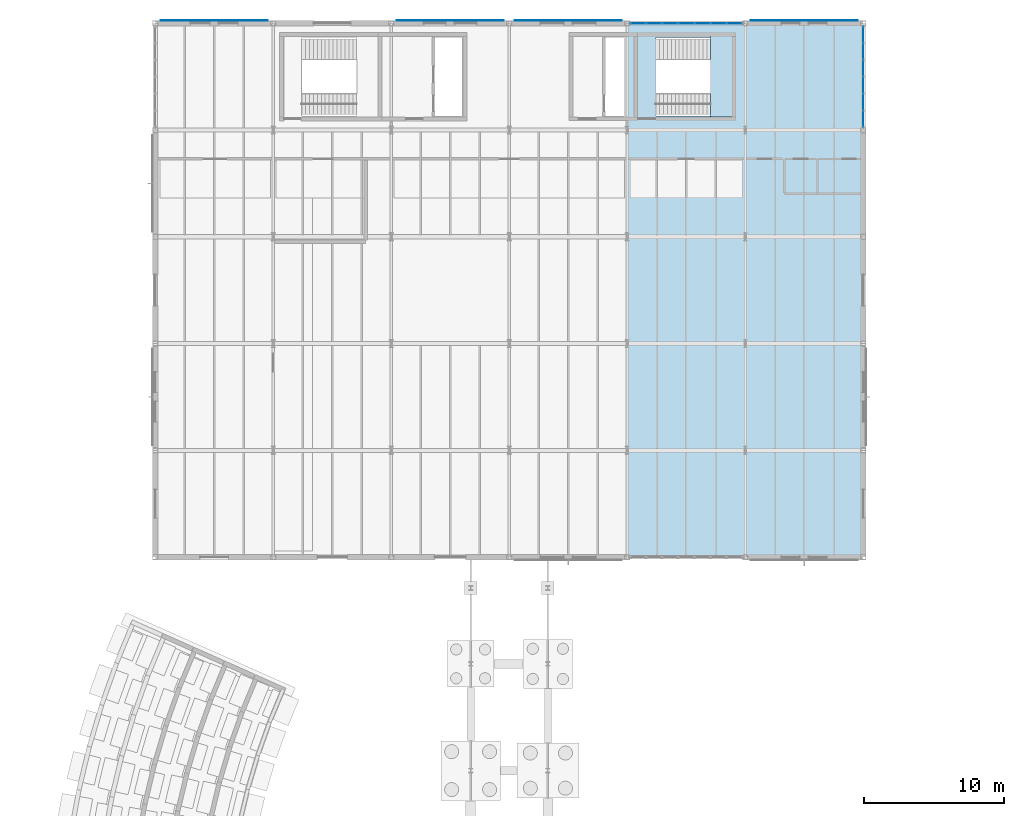
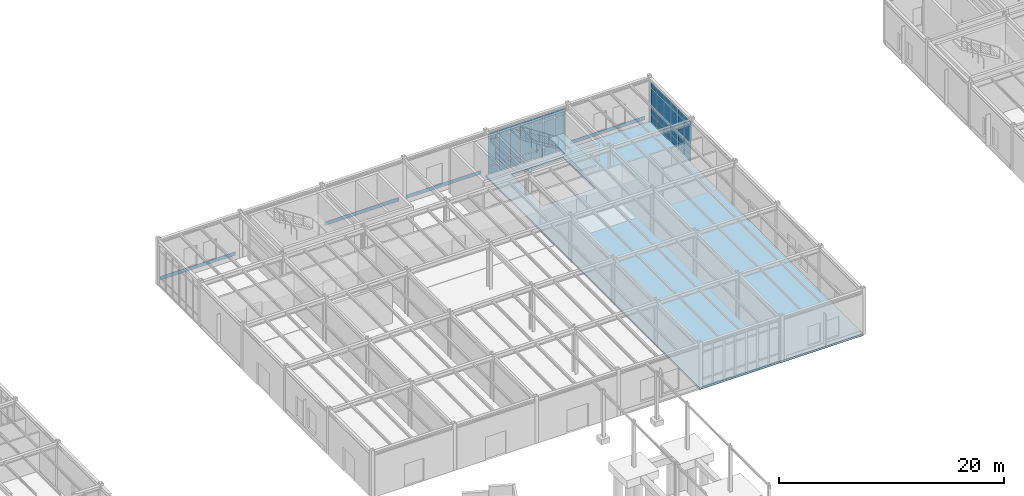
# One storey, part 78 of 109: 43 plates, 2 slabs, 3 elements without a shape of their own.
"""IFC4 building model written with IfcOpenShell, lengths in metres."""

from ifc_helpers import new_model, si_unit, direction, frame, origin, origin_2d, place, context, subcontext, project, spatial, polyline, rectangle, outline, extrude, material, layer, layer_set, type_object, element, aggregate, save


model = new_model("IFC4")

# Units and contexts
model_context = context("Model", 3, precision=1e-05, world=origin(), true_north=direction((0.0, 1.0)))
body_context = subcontext(model_context, "Body", "Model", "MODEL_VIEW")
ifc_project = project(units=[si_unit("LENGTHUNIT", "METRE"), si_unit("AREAUNIT", "SQUARE_METRE"), si_unit("VOLUMEUNIT", "CUBIC_METRE"), si_unit("PLANEANGLEUNIT", "RADIAN"), si_unit("MASSUNIT", "GRAM", prefix="KILO")], contexts=[model_context])

# Site, building, storey
site_placement = place(None, origin())
site = spatial("IfcSite", under=ifc_project, at=site_placement, CompositionType="ELEMENT")
building_placement = place(site_placement, origin())
building = spatial("IfcBuilding", under=site, at=building_placement, Name="Montecoro Central Library", CompositionType="ELEMENT")
storey_placement = place(building_placement, origin())
storey = spatial("IfcBuildingStorey", under=building, at=storey_placement, Name="L00", CompositionType="ELEMENT", Elevation=0.0)

# Curtain wall, plates
ifc_material_1 = material(Name="Bronze-anodised aluminium and low-E glazing", Category="aluminium")
ifc_layer_1 = layer(ifc_material_1, 0.159912109375)
ifc_layer_set_1 = layer_set([ifc_layer_1], Name="Bronze-anodised aluminium and low-E glazing")
curtain_wall_type_1 = type_object("IfcCurtainWallType", Name="CWT-007", PredefinedType="NOTDEFINED", material=ifc_layer_set_1)
curtain_wall_1_placement = place(storey_placement, origin())
curtain_wall_1 = element("IfcCurtainWall", 1, at=curtain_wall_1_placement, inside=storey, type_object=curtain_wall_type_1, Name="V2-L00-CW-E4", PredefinedType="NOTDEFINED")
ifc_material_2 = material(Name="Laminated low-E double glazing", Category="glass")
ifc_layer_2 = layer(ifc_material_2, 0.02587890625)
ifc_layer_set_2 = layer_set([ifc_layer_2], Name="Laminated low-E double glazing")
plate_type_1 = type_object("IfcPlateType", Name="CWP-GLZ-01", PredefinedType="CURTAIN_PANEL", material=ifc_layer_set_2)
plate_1_placement = place(storey_placement, frame((116.800048828125, 112.19921875, 0.070068359375), z_axis=(0.0, 0.0, 1.0), x_axis=(0.0, 1.0, 0.0)))
plate_1 = element("IfcPlate", 2, at=plate_1_placement, type_object=plate_type_1, Name="CW-007 panel 1.1", PredefinedType="CURTAIN_PANEL", context=body_context, shape_type="SweptSolid", body=[
    extrude(rectangle(XDim=1.102294921875, YDim=0.02587890625, at=origin_2d()), origin(), (0.0, 0.0, 1.0), 0.794921875),
])
plate_2_placement = place(storey_placement, frame((116.800048828125, 112.19921875, 0.93505859375), z_axis=(0.0, 0.0, 1.0), x_axis=(0.0, 1.0, 0.0)))
plate_2 = element("IfcPlate", 3, at=plate_2_placement, type_object=plate_type_1, Name="CW-007 panel 1.2", PredefinedType="CURTAIN_PANEL", context=body_context, shape_type="SweptSolid", body=[
    extrude(rectangle(XDim=1.102294921875, YDim=0.02587890625, at=origin_2d()), origin(), (0.0, 0.0, 1.0), 2.830078125),
])
plate_3_placement = place(storey_placement, frame((116.800048828125, 112.19921875, 3.8349609375), z_axis=(0.0, 0.0, 1.0), x_axis=(0.0, 1.0, 0.0)))
plate_3 = element("IfcPlate", 4, at=plate_3_placement, type_object=plate_type_1, Name="CW-007 panel 1.3", PredefinedType="CURTAIN_PANEL", context=body_context, shape_type="SweptSolid", body=[
    extrude(rectangle(XDim=1.102294921875, YDim=0.02587890625, at=origin_2d()), origin(), (0.0, 0.0, 1.0), 0.594970703125),
])
plate_4_placement = place(storey_placement, frame((116.800048828125, 113.388916015625, 0.070068359375), z_axis=(0.0, 0.0, 1.0), x_axis=(0.0, 1.0, 0.0)))
plate_4 = element("IfcPlate", 5, at=plate_4_placement, type_object=plate_type_1, Name="CW-007 panel 2.1", PredefinedType="CURTAIN_PANEL", context=body_context, shape_type="SweptSolid", body=[
    extrude(rectangle(XDim=1.137451171875, YDim=0.02587890625, at=origin_2d()), origin(), (0.0, 0.0, 1.0), 0.794921875),
])
plate_5_placement = place(storey_placement, frame((116.800048828125, 113.388916015625, 0.93505859375), z_axis=(0.0, 0.0, 1.0), x_axis=(0.0, 1.0, 0.0)))
plate_5 = element("IfcPlate", 6, at=plate_5_placement, type_object=plate_type_1, Name="CW-007 panel 2.2", PredefinedType="CURTAIN_PANEL", context=body_context, shape_type="SweptSolid", body=[
    extrude(rectangle(XDim=1.137451171875, YDim=0.02587890625, at=origin_2d()), origin(), (0.0, 0.0, 1.0), 2.830078125),
])
plate_6_placement = place(storey_placement, frame((116.800048828125, 113.388916015625, 3.8349609375), z_axis=(0.0, 0.0, 1.0), x_axis=(0.0, 1.0, 0.0)))
plate_6 = element("IfcPlate", 7, at=plate_6_placement, type_object=plate_type_1, Name="CW-007 panel 2.3", PredefinedType="CURTAIN_PANEL", context=body_context, shape_type="SweptSolid", body=[
    extrude(rectangle(XDim=1.137451171875, YDim=0.02587890625, at=origin_2d()), origin(), (0.0, 0.0, 1.0), 0.594970703125),
])
plate_7_placement = place(storey_placement, frame((116.800048828125, 114.596435546875, 0.070068359375), z_axis=(0.0, 0.0, 1.0), x_axis=(0.0, 1.0, 0.0)))
plate_7 = element("IfcPlate", 8, at=plate_7_placement, type_object=plate_type_1, Name="CW-007 panel 3.1", PredefinedType="CURTAIN_PANEL", context=body_context, shape_type="SweptSolid", body=[
    extrude(rectangle(XDim=1.137451171875, YDim=0.02587890625, at=origin_2d()), origin(), (0.0, 0.0, 1.0), 0.794921875),
])
plate_8_placement = place(storey_placement, frame((116.800048828125, 114.596435546875, 0.93505859375), z_axis=(0.0, 0.0, 1.0), x_axis=(0.0, 1.0, 0.0)))
plate_8 = element("IfcPlate", 9, at=plate_8_placement, type_object=plate_type_1, Name="CW-007 panel 3.2", PredefinedType="CURTAIN_PANEL", context=body_context, shape_type="SweptSolid", body=[
    extrude(rectangle(XDim=1.137451171875, YDim=0.02587890625, at=origin_2d()), origin(), (0.0, 0.0, 1.0), 2.830078125),
])
plate_9_placement = place(storey_placement, frame((116.800048828125, 114.596435546875, 3.8349609375), z_axis=(0.0, 0.0, 1.0), x_axis=(0.0, 1.0, 0.0)))
plate_9 = element("IfcPlate", 10, at=plate_9_placement, type_object=plate_type_1, Name="CW-007 panel 3.3", PredefinedType="CURTAIN_PANEL", context=body_context, shape_type="SweptSolid", body=[
    extrude(rectangle(XDim=1.137451171875, YDim=0.02587890625, at=origin_2d()), origin(), (0.0, 0.0, 1.0), 0.594970703125),
])
plate_10_placement = place(storey_placement, frame((116.800048828125, 115.8037109375, 0.070068359375), z_axis=(0.0, 0.0, 1.0), x_axis=(0.0, 1.0, 0.0)))
plate_10 = element("IfcPlate", 11, at=plate_10_placement, type_object=plate_type_1, Name="CW-007 panel 4.1", PredefinedType="CURTAIN_PANEL", context=body_context, shape_type="SweptSolid", body=[
    extrude(rectangle(XDim=1.137451171875, YDim=0.02587890625, at=origin_2d()), origin(), (0.0, 0.0, 1.0), 0.794921875),
])
plate_11_placement = place(storey_placement, frame((116.800048828125, 115.8037109375, 0.93505859375), z_axis=(0.0, 0.0, 1.0), x_axis=(0.0, 1.0, 0.0)))
plate_11 = element("IfcPlate", 12, at=plate_11_placement, type_object=plate_type_1, Name="CW-007 panel 4.2", PredefinedType="CURTAIN_PANEL", context=body_context, shape_type="SweptSolid", body=[
    extrude(rectangle(XDim=1.137451171875, YDim=0.02587890625, at=origin_2d()), origin(), (0.0, 0.0, 1.0), 2.830078125),
])
plate_12_placement = place(storey_placement, frame((116.800048828125, 115.8037109375, 3.8349609375), z_axis=(0.0, 0.0, 1.0), x_axis=(0.0, 1.0, 0.0)))
plate_12 = element("IfcPlate", 13, at=plate_12_placement, type_object=plate_type_1, Name="CW-007 panel 4.3", PredefinedType="CURTAIN_PANEL", context=body_context, shape_type="SweptSolid", body=[
    extrude(rectangle(XDim=1.137451171875, YDim=0.02587890625, at=origin_2d()), origin(), (0.0, 0.0, 1.0), 0.594970703125),
])
plate_13_placement = place(storey_placement, frame((116.800048828125, 117.010986328125, 0.070068359375), z_axis=(0.0, 0.0, 1.0), x_axis=(0.0, 1.0, 0.0)))
plate_13 = element("IfcPlate", 14, at=plate_13_placement, type_object=plate_type_1, Name="CW-007 panel 5.1", PredefinedType="CURTAIN_PANEL", context=body_context, shape_type="SweptSolid", body=[
    extrude(rectangle(XDim=1.137451171875, YDim=0.02587890625, at=origin_2d()), origin(), (0.0, 0.0, 1.0), 0.794921875),
])
plate_14_placement = place(storey_placement, frame((116.800048828125, 117.010986328125, 0.93505859375), z_axis=(0.0, 0.0, 1.0), x_axis=(0.0, 1.0, 0.0)))
plate_14 = element("IfcPlate", 15, at=plate_14_placement, type_object=plate_type_1, Name="CW-007 panel 5.2", PredefinedType="CURTAIN_PANEL", context=body_context, shape_type="SweptSolid", body=[
    extrude(rectangle(XDim=1.137451171875, YDim=0.02587890625, at=origin_2d()), origin(), (0.0, 0.0, 1.0), 2.830078125),
])
plate_15_placement = place(storey_placement, frame((116.800048828125, 117.010986328125, 3.8349609375), z_axis=(0.0, 0.0, 1.0), x_axis=(0.0, 1.0, 0.0)))
plate_15 = element("IfcPlate", 16, at=plate_15_placement, type_object=plate_type_1, Name="CW-007 panel 5.3", PredefinedType="CURTAIN_PANEL", context=body_context, shape_type="SweptSolid", body=[
    extrude(rectangle(XDim=1.137451171875, YDim=0.02587890625, at=origin_2d()), origin(), (0.0, 0.0, 1.0), 0.594970703125),
])
plate_16_placement = place(storey_placement, frame((116.800048828125, 118.200927734375, 0.070068359375), z_axis=(0.0, 0.0, 1.0), x_axis=(0.0, 1.0, 0.0)))
plate_16 = element("IfcPlate", 17, at=plate_16_placement, type_object=plate_type_1, Name="CW-007 panel 6.1", PredefinedType="CURTAIN_PANEL", context=body_context, shape_type="SweptSolid", body=[
    extrude(rectangle(XDim=1.102294921875, YDim=0.02587890625, at=origin_2d()), origin(), (0.0, 0.0, 1.0), 0.794921875),
])
plate_17_placement = place(storey_placement, frame((116.800048828125, 118.200927734375, 0.93505859375), z_axis=(0.0, 0.0, 1.0), x_axis=(0.0, 1.0, 0.0)))
plate_17 = element("IfcPlate", 18, at=plate_17_placement, type_object=plate_type_1, Name="CW-007 panel 6.2", PredefinedType="CURTAIN_PANEL", context=body_context, shape_type="SweptSolid", body=[
    extrude(rectangle(XDim=1.102294921875, YDim=0.02587890625, at=origin_2d()), origin(), (0.0, 0.0, 1.0), 2.830078125),
])
plate_18_placement = place(storey_placement, frame((116.800048828125, 118.200927734375, 3.8349609375), z_axis=(0.0, 0.0, 1.0), x_axis=(0.0, 1.0, 0.0)))
plate_18 = element("IfcPlate", 19, at=plate_18_placement, type_object=plate_type_1, Name="CW-007 panel 6.3", PredefinedType="CURTAIN_PANEL", context=body_context, shape_type="SweptSolid", body=[
    extrude(rectangle(XDim=1.102294921875, YDim=0.02587890625, at=origin_2d()), origin(), (0.0, 0.0, 1.0), 0.594970703125),
])
aggregate(curtain_wall_1, [plate_1, plate_2, plate_3, plate_4, plate_5, plate_6, plate_7, plate_8, plate_9, plate_10, plate_11, plate_12, plate_13, plate_14, plate_15, plate_16, plate_17, plate_18])

ifc_layer_3 = layer(ifc_material_1, 0.159912109375)
ifc_layer_set_3 = layer_set([ifc_layer_3], Name="Bronze-anodised aluminium and low-E glazing")
curtain_wall_type_2 = type_object("IfcCurtainWallType", Name="CWT-008", PredefinedType="NOTDEFINED", material=ifc_layer_set_3)
curtain_wall_2_placement = place(storey_placement, origin())
curtain_wall_2 = element("IfcCurtainWall", 20, at=curtain_wall_2_placement, inside=storey, type_object=curtain_wall_type_2, Name="V2-L00-CW-N4", PredefinedType="NOTDEFINED")
plate_19_placement = place(storey_placement, frame((107.6298828125, 119.0, 0.070068359375), z_axis=(0.0, 0.0, 1.0), x_axis=(-1.0, 0.0, 0.0)))
plate_19 = element("IfcPlate", 21, at=plate_19_placement, type_object=plate_type_1, Name="CW-008 panel 1.1", PredefinedType="CURTAIN_PANEL", context=body_context, shape_type="SweptSolid", body=[
    extrude(rectangle(XDim=1.044189453125, YDim=0.02587890625, at=origin_2d()), origin(), (0.0, 0.0, 1.0), 0.794921875),
])
plate_20_placement = place(storey_placement, frame((107.6298828125, 119.0, 0.93505859375), z_axis=(0.0, 0.0, 1.0), x_axis=(-1.0, 0.0, 0.0)))
plate_20 = element("IfcPlate", 22, at=plate_20_placement, type_object=plate_type_1, Name="CW-008 panel 1.2", PredefinedType="CURTAIN_PANEL", context=body_context, shape_type="SweptSolid", body=[
    extrude(rectangle(XDim=1.044189453125, YDim=0.02587890625, at=origin_2d()), origin(), (0.0, 0.0, 1.0), 2.830078125),
])
plate_21_placement = place(storey_placement, frame((107.6298828125, 119.0, 3.8349609375), z_axis=(0.0, 0.0, 1.0), x_axis=(-1.0, 0.0, 0.0)))
plate_21 = element("IfcPlate", 23, at=plate_21_placement, type_object=plate_type_1, Name="CW-008 panel 1.3", PredefinedType="CURTAIN_PANEL", context=body_context, shape_type="SweptSolid", body=[
    extrude(rectangle(XDim=1.044189453125, YDim=0.02587890625, at=origin_2d()), origin(), (0.0, 0.0, 1.0), 0.594970703125),
])
plate_22_placement = place(storey_placement, frame((106.498291015625, 119.0, 0.070068359375), z_axis=(0.0, 0.0, 1.0), x_axis=(-1.0, 0.0, 0.0)))
plate_22 = element("IfcPlate", 24, at=plate_22_placement, type_object=plate_type_1, Name="CW-008 panel 2.1", PredefinedType="CURTAIN_PANEL", context=body_context, shape_type="SweptSolid", body=[
    extrude(rectangle(XDim=1.0791015625, YDim=0.02587890625, at=origin_2d()), origin(), (0.0, 0.0, 1.0), 0.794921875),
])
plate_23_placement = place(storey_placement, frame((106.498291015625, 119.0, 0.93505859375), z_axis=(0.0, 0.0, 1.0), x_axis=(-1.0, 0.0, 0.0)))
plate_23 = element("IfcPlate", 25, at=plate_23_placement, type_object=plate_type_1, Name="CW-008 panel 2.2", PredefinedType="CURTAIN_PANEL", context=body_context, shape_type="SweptSolid", body=[
    extrude(rectangle(XDim=1.0791015625, YDim=0.02587890625, at=origin_2d()), origin(), (0.0, 0.0, 1.0), 2.830078125),
])
plate_24_placement = place(storey_placement, frame((106.498291015625, 119.0, 3.8349609375), z_axis=(0.0, 0.0, 1.0), x_axis=(-1.0, 0.0, 0.0)))
plate_24 = element("IfcPlate", 26, at=plate_24_placement, type_object=plate_type_1, Name="CW-008 panel 2.3", PredefinedType="CURTAIN_PANEL", context=body_context, shape_type="SweptSolid", body=[
    extrude(rectangle(XDim=1.0791015625, YDim=0.02587890625, at=origin_2d()), origin(), (0.0, 0.0, 1.0), 0.594970703125),
])
plate_25_placement = place(storey_placement, frame((105.34912109375, 119.0, 0.070068359375), z_axis=(0.0, 0.0, 1.0), x_axis=(-1.0, 0.0, 0.0)))
plate_25 = element("IfcPlate", 27, at=plate_25_placement, type_object=plate_type_1, Name="CW-008 panel 3.1", PredefinedType="CURTAIN_PANEL", context=body_context, shape_type="SweptSolid", body=[
    extrude(rectangle(XDim=1.0791015625, YDim=0.02587890625, at=origin_2d()), origin(), (0.0, 0.0, 1.0), 0.794921875),
])
plate_26_placement = place(storey_placement, frame((105.34912109375, 119.0, 0.93505859375), z_axis=(0.0, 0.0, 1.0), x_axis=(-1.0, 0.0, 0.0)))
plate_26 = element("IfcPlate", 28, at=plate_26_placement, type_object=plate_type_1, Name="CW-008 panel 3.2", PredefinedType="CURTAIN_PANEL", context=body_context, shape_type="SweptSolid", body=[
    extrude(rectangle(XDim=1.0791015625, YDim=0.02587890625, at=origin_2d()), origin(), (0.0, 0.0, 1.0), 2.830078125),
])
plate_27_placement = place(storey_placement, frame((105.34912109375, 119.0, 3.8349609375), z_axis=(0.0, 0.0, 1.0), x_axis=(-1.0, 0.0, 0.0)))
plate_27 = element("IfcPlate", 29, at=plate_27_placement, type_object=plate_type_1, Name="CW-008 panel 3.3", PredefinedType="CURTAIN_PANEL", context=body_context, shape_type="SweptSolid", body=[
    extrude(rectangle(XDim=1.0791015625, YDim=0.02587890625, at=origin_2d()), origin(), (0.0, 0.0, 1.0), 0.594970703125),
])
plate_28_placement = place(storey_placement, frame((104.199951171875, 119.0, 0.070068359375), z_axis=(0.0, 0.0, 1.0), x_axis=(-1.0, 0.0, 0.0)))
plate_28 = element("IfcPlate", 30, at=plate_28_placement, type_object=plate_type_1, Name="CW-008 panel 4.1", PredefinedType="CURTAIN_PANEL", context=body_context, shape_type="SweptSolid", body=[
    extrude(rectangle(XDim=1.0791015625, YDim=0.02587890625, at=origin_2d()), origin(), (0.0, 0.0, 1.0), 0.794921875),
])
plate_29_placement = place(storey_placement, frame((104.199951171875, 119.0, 0.93505859375), z_axis=(0.0, 0.0, 1.0), x_axis=(-1.0, 0.0, 0.0)))
plate_29 = element("IfcPlate", 31, at=plate_29_placement, type_object=plate_type_1, Name="CW-008 panel 4.2", PredefinedType="CURTAIN_PANEL", context=body_context, shape_type="SweptSolid", body=[
    extrude(rectangle(XDim=1.0791015625, YDim=0.02587890625, at=origin_2d()), origin(), (0.0, 0.0, 1.0), 2.830078125),
])
plate_30_placement = place(storey_placement, frame((104.199951171875, 119.0, 3.8349609375), z_axis=(0.0, 0.0, 1.0), x_axis=(-1.0, 0.0, 0.0)))
plate_30 = element("IfcPlate", 32, at=plate_30_placement, type_object=plate_type_1, Name="CW-008 panel 4.3", PredefinedType="CURTAIN_PANEL", context=body_context, shape_type="SweptSolid", body=[
    extrude(rectangle(XDim=1.0791015625, YDim=0.02587890625, at=origin_2d()), origin(), (0.0, 0.0, 1.0), 0.594970703125),
])
plate_31_placement = place(storey_placement, frame((103.05078125, 119.0, 0.070068359375), z_axis=(0.0, 0.0, 1.0), x_axis=(-1.0, 0.0, 0.0)))
plate_31 = element("IfcPlate", 33, at=plate_31_placement, type_object=plate_type_1, Name="CW-008 panel 5.1", PredefinedType="CURTAIN_PANEL", context=body_context, shape_type="SweptSolid", body=[
    extrude(rectangle(XDim=1.0791015625, YDim=0.02587890625, at=origin_2d()), origin(), (0.0, 0.0, 1.0), 0.794921875),
])
plate_32_placement = place(storey_placement, frame((103.05078125, 119.0, 0.93505859375), z_axis=(0.0, 0.0, 1.0), x_axis=(-1.0, 0.0, 0.0)))
plate_32 = element("IfcPlate", 34, at=plate_32_placement, type_object=plate_type_1, Name="CW-008 panel 5.2", PredefinedType="CURTAIN_PANEL", context=body_context, shape_type="SweptSolid", body=[
    extrude(rectangle(XDim=1.0791015625, YDim=0.02587890625, at=origin_2d()), origin(), (0.0, 0.0, 1.0), 2.830078125),
])
plate_33_placement = place(storey_placement, frame((103.05078125, 119.0, 3.8349609375), z_axis=(0.0, 0.0, 1.0), x_axis=(-1.0, 0.0, 0.0)))
plate_33 = element("IfcPlate", 35, at=plate_33_placement, type_object=plate_type_1, Name="CW-008 panel 5.3", PredefinedType="CURTAIN_PANEL", context=body_context, shape_type="SweptSolid", body=[
    extrude(rectangle(XDim=1.0791015625, YDim=0.02587890625, at=origin_2d()), origin(), (0.0, 0.0, 1.0), 0.594970703125),
])
plate_34_placement = place(storey_placement, frame((101.901611328125, 119.0, 0.070068359375), z_axis=(0.0, 0.0, 1.0), x_axis=(-1.0, 0.0, 0.0)))
plate_34 = element("IfcPlate", 36, at=plate_34_placement, type_object=plate_type_1, Name="CW-008 panel 6.1", PredefinedType="CURTAIN_PANEL", context=body_context, shape_type="SweptSolid", body=[
    extrude(rectangle(XDim=1.0791015625, YDim=0.02587890625, at=origin_2d()), origin(), (0.0, 0.0, 1.0), 0.794921875),
])
plate_35_placement = place(storey_placement, frame((101.901611328125, 119.0, 0.93505859375), z_axis=(0.0, 0.0, 1.0), x_axis=(-1.0, 0.0, 0.0)))
plate_35 = element("IfcPlate", 37, at=plate_35_placement, type_object=plate_type_1, Name="CW-008 panel 6.2", PredefinedType="CURTAIN_PANEL", context=body_context, shape_type="SweptSolid", body=[
    extrude(rectangle(XDim=1.0791015625, YDim=0.02587890625, at=origin_2d()), origin(), (0.0, 0.0, 1.0), 2.830078125),
])
plate_36_placement = place(storey_placement, frame((101.901611328125, 119.0, 3.8349609375), z_axis=(0.0, 0.0, 1.0), x_axis=(-1.0, 0.0, 0.0)))
plate_36 = element("IfcPlate", 38, at=plate_36_placement, type_object=plate_type_1, Name="CW-008 panel 6.3", PredefinedType="CURTAIN_PANEL", context=body_context, shape_type="SweptSolid", body=[
    extrude(rectangle(XDim=1.0791015625, YDim=0.02587890625, at=origin_2d()), origin(), (0.0, 0.0, 1.0), 0.594970703125),
])
plate_37_placement = place(storey_placement, frame((100.77001953125, 119.0, 0.070068359375), z_axis=(0.0, 0.0, 1.0), x_axis=(-1.0, 0.0, 0.0)))
plate_37 = element("IfcPlate", 39, at=plate_37_placement, type_object=plate_type_1, Name="CW-008 panel 7.1", PredefinedType="CURTAIN_PANEL", context=body_context, shape_type="SweptSolid", body=[
    extrude(rectangle(XDim=1.044189453125, YDim=0.02587890625, at=origin_2d()), origin(), (0.0, 0.0, 1.0), 0.794921875),
])
plate_38_placement = place(storey_placement, frame((100.77001953125, 119.0, 0.93505859375), z_axis=(0.0, 0.0, 1.0), x_axis=(-1.0, 0.0, 0.0)))
plate_38 = element("IfcPlate", 40, at=plate_38_placement, type_object=plate_type_1, Name="CW-008 panel 7.2", PredefinedType="CURTAIN_PANEL", context=body_context, shape_type="SweptSolid", body=[
    extrude(rectangle(XDim=1.044189453125, YDim=0.02587890625, at=origin_2d()), origin(), (0.0, 0.0, 1.0), 2.830078125),
])
plate_39_placement = place(storey_placement, frame((100.77001953125, 119.0, 3.8349609375), z_axis=(0.0, 0.0, 1.0), x_axis=(-1.0, 0.0, 0.0)))
plate_39 = element("IfcPlate", 41, at=plate_39_placement, type_object=plate_type_1, Name="CW-008 panel 7.3", PredefinedType="CURTAIN_PANEL", context=body_context, shape_type="SweptSolid", body=[
    extrude(rectangle(XDim=1.044189453125, YDim=0.02587890625, at=origin_2d()), origin(), (0.0, 0.0, 1.0), 0.594970703125),
])
aggregate(curtain_wall_2, [plate_19, plate_20, plate_21, plate_22, plate_23, plate_24, plate_25, plate_26, plate_27, plate_28, plate_29, plate_30, plate_31, plate_32, plate_33, plate_34, plate_35, plate_36, plate_37, plate_38, plate_39])

# Plates
ifc_material_3 = material(Name="Architectural bronze spandrel plate", Category="aluminium")
ifc_layer_4 = layer(ifc_material_3, 0.02197265625)
ifc_layer_set_4 = layer_set([ifc_layer_4], Name="Architectural bronze spandrel plate")
plate_type_2 = type_object("IfcPlateType", Name="PLT-SPN-01", PredefinedType="SHEET", material=ifc_layer_set_4)
plate_40_placement = place(storey_placement, frame((95.800048828125, 119.20361328125, 0.16015625), z_axis=(0.0, 0.0, 1.0), x_axis=(-1.0, 0.0, 0.0)))
element("IfcPlate", 42, at=plate_40_placement, inside=storey, type_object=plate_type_2, Name="V2-L00-SPN-N3", PredefinedType="SHEET", context=body_context, shape_type="SweptSolid", body=[
    extrude(rectangle(XDim=7.64404296875, YDim=0.02197265625, at=origin_2d()), origin(), (0.0, 0.0, 1.0), 0.39990234375),
])
ifc_layer_5 = layer(ifc_material_3, 0.028076171875)
ifc_layer_set_5 = layer_set([ifc_layer_5], Name="Architectural bronze spandrel plate")
plate_type_3 = type_object("IfcPlateType", Name="PLT-SPN-02", PredefinedType="SHEET", material=ifc_layer_set_5)
plate_41_placement = place(storey_placement, frame((70.60009765625, 119.20654296875, 0.16015625), z_axis=(0.0, 0.0, 1.0), x_axis=(-1.0, 0.0, 0.0)))
element("IfcPlate", 43, at=plate_41_placement, inside=storey, type_object=plate_type_3, Name="V2-L00-SPN-N0", PredefinedType="SHEET", context=body_context, shape_type="SweptSolid", body=[
    extrude(rectangle(XDim=7.64404296875, YDim=0.028076171875, at=origin_2d()), origin(), (0.0, 0.0, 1.0), 0.39990234375),
])
ifc_layer_6 = layer(ifc_material_3, 0.035888671875)
ifc_layer_set_6 = layer_set([ifc_layer_6], Name="Architectural bronze spandrel plate")
plate_type_4 = type_object("IfcPlateType", Name="PLT-SPN-03", PredefinedType="SHEET", material=ifc_layer_set_6)
plate_42_placement = place(storey_placement, frame((112.60009765625, 119.21044921875, 0.16015625), z_axis=(0.0, 0.0, 1.0), x_axis=(-1.0, 0.0, 0.0)))
element("IfcPlate", 44, at=plate_42_placement, inside=storey, type_object=plate_type_4, Name="V2-L00-SPN-N5", PredefinedType="SHEET", context=body_context, shape_type="SweptSolid", body=[
    extrude(rectangle(XDim=7.64404296875, YDim=0.035888671875, at=origin_2d()), origin(), (0.0, 0.0, 1.0), 0.39990234375),
])
ifc_layer_7 = layer(ifc_material_3, 0.0439453125)
ifc_layer_set_7 = layer_set([ifc_layer_7], Name="Architectural bronze spandrel plate")
plate_type_5 = type_object("IfcPlateType", Name="PLT-SPN-04", PredefinedType="SHEET", material=ifc_layer_set_7)
plate_43_placement = place(storey_placement, frame((87.39990234375, 119.214599609375, 0.16015625), z_axis=(0.0, 0.0, 1.0), x_axis=(-1.0, 0.0, 0.0)))
element("IfcPlate", 45, at=plate_43_placement, inside=storey, type_object=plate_type_5, Name="V2-L00-SPN-N2", PredefinedType="SHEET", context=body_context, shape_type="SweptSolid", body=[
    extrude(rectangle(XDim=7.64404296875, YDim=0.0439453125, at=origin_2d()), origin(), (0.0, 0.0, 1.0), 0.39990234375),
])

# Slab
ifc_material_4 = material(Name="Concrete C32/40", Category="concrete")
ifc_layer_8 = layer(ifc_material_4, 0.205078125)
ifc_layer_set_8 = layer_set([ifc_layer_8], Name="Concrete C32/40")
slab_type_1 = type_object("IfcSlabType", Name="SL-FLR-205", PredefinedType="FLOOR", material=ifc_layer_set_8)
slab_1_placement = place(storey_placement, frame((0.0, 0.0, -0.205078125)))
element("IfcSlab", 46, at=slab_1_placement, inside=storey, type_object=slab_type_1, Name="V2-L00-SL3", PredefinedType="FLOOR", context=body_context, shape_type="SweptSolid", body=[
    extrude(outline(polyline([(100.0, 81.0), (116.800048828125, 81.0), (116.800048828125, 119.0), (100.0, 119.0), (100.0, 81.0)]), holes=[polyline([(102.06005859375, 118.0), (107.39990234375, 118.0), (107.39990234375, 112.39990234375), (102.06005859375, 112.39990234375), (102.06005859375, 118.0)])]), origin(), (0.0, 0.0, 1.0), 0.205078125),
])

# Stair, slab
ifc_material_5 = material(Name="Concrete C35/45", Category="concrete")
stair_type = type_object("IfcStairType", Name="STR-RET-150", PredefinedType="HALF_TURN_STAIR", material=ifc_material_5)
stair_placement = place(storey_placement, origin())
stair = element("IfcStair", 47, at=stair_placement, inside=storey, type_object=stair_type, Name="C3-L00-STR", PredefinedType="HALF_TURN_STAIR")
ifc_layer_9 = layer(ifc_material_5, 0.199951171875)
ifc_layer_set_9 = layer_set([ifc_layer_9], Name="Concrete C35/45")
slab_type_2 = type_object("IfcSlabType", Name="SL-LND-200", PredefinedType="LANDING", material=ifc_layer_set_9)
slab_2_placement = place(storey_placement, frame((0.0, 0.0, 2.35009765625)))
slab_2 = element("IfcSlab", 48, at=slab_2_placement, type_object=slab_type_2, Name="ST-03 landing 1", PredefinedType="LANDING", context=body_context, shape_type="SweptSolid", body=[
    extrude(outline(polyline([(105.93994140625, 112.320068359375), (107.47998046875, 112.320068359375), (107.47998046875, 118.080078125), (105.93994140625, 118.080078125), (105.93994140625, 112.320068359375)])), origin(), (0.0, 0.0, 1.0), 0.199951171875),
])
aggregate(stair, [slab_2])

save(model, "model.ifc")
